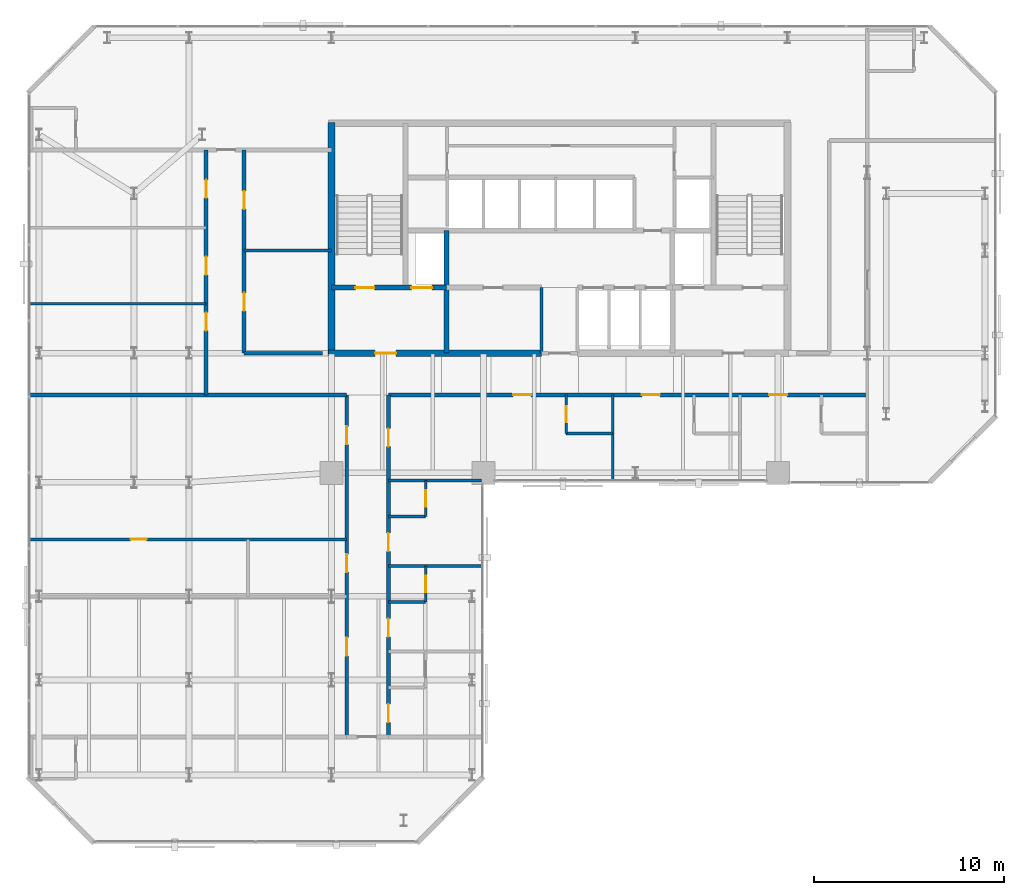
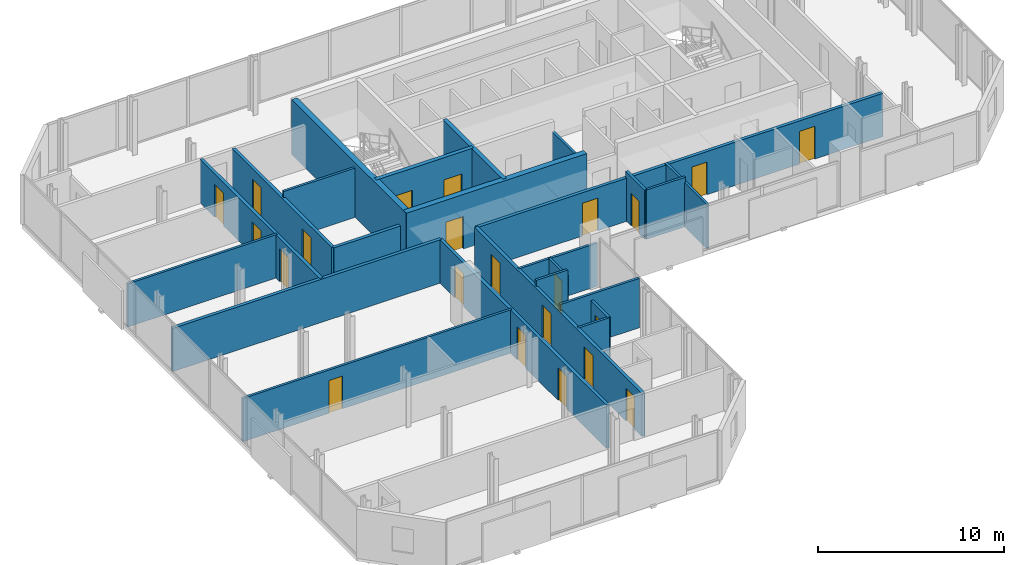
# One storey, part 28 of 32: 24 walls, 22 doors, 22 openings.
"""IFC4 building model written with IfcOpenShell, lengths in metres."""

from ifc_helpers import new_model, si_unit, direction, frame, frame_2d, origin, place, context, subcontext, project, spatial, rectangle, extrude, material, layer, layer_set, type_object, element, fill, save


model = new_model("IFC4")

# Units and contexts
model_context = context("Model", 3, precision=1e-05, world=origin(), true_north=direction((0.0, 1.0)))
body_context = subcontext(model_context, "Body", "Model", "MODEL_VIEW")
ifc_project = project(units=[si_unit("LENGTHUNIT", "METRE"), si_unit("AREAUNIT", "SQUARE_METRE"), si_unit("VOLUMEUNIT", "CUBIC_METRE"), si_unit("PLANEANGLEUNIT", "RADIAN"), si_unit("MASSUNIT", "GRAM", prefix="KILO")], contexts=[model_context])

# Site, building, storey
site_placement = place(None, origin())
site = spatial("IfcSite", under=ifc_project, at=site_placement, CompositionType="ELEMENT")
building_placement = place(site_placement, origin())
building = spatial("IfcBuilding", under=site, at=building_placement, Name="Catumbela Crestline Tower", CompositionType="ELEMENT")
storey_placement = place(building_placement, frame((0.0, 0.0, 140.4)))
storey = spatial("IfcBuildingStorey", under=building, at=storey_placement, Name="L36", CompositionType="ELEMENT", Elevation=140.4)

# Wall
ifc_material_1 = material(Name="Concrete C50/60", Category="concrete")
ifc_layer_1 = layer(ifc_material_1, 0.25, Name="Concrete C50/60")
ifc_layer_set_1 = layer_set([ifc_layer_1], Name="Concrete C50/60")
wall_type_1 = type_object("IfcWallType", Name="CW-250D", PredefinedType="SHEAR", material=ifc_layer_set_1)
wall_1_placement = place(storey_placement, frame((22.05, 30.8, 0.0), z_axis=(0.0, 0.0, 1.0), x_axis=(0.0, 1.0, 0.0)))
element("IfcWall", 1, at=wall_1_placement, inside=storey, type_object=wall_type_1, Name="L36 Structural Core Shear Wall FFW", PredefinedType="SHEAR", context=body_context, shape_type="SweptSolid", body=[
    extrude(rectangle(XDim=6.45, YDim=0.25, at=frame_2d((3.225, 0.0))), origin(), (0.0, 0.0, 1.0), 3.6),
])

# Wall, openings, doors
wall_2_placement = place(storey_placement, frame((16.0, 34.25, 0.0), z_axis=(0.0, 0.0, 1.0), x_axis=(1.0, 0.0, 0.0)))
wall_2 = element("IfcWall", 2, at=wall_2_placement, inside=storey, type_object=wall_type_1, Name="L36 Structural Core Shear Wall ST1S", PredefinedType="SHEAR", context=body_context, shape_type="SweptSolid", body=[
    extrude(rectangle(XDim=6.05, YDim=0.25, at=frame_2d((3.025, 0.0))), origin(), (0.0, 0.0, 1.0), 3.6),
])
opening_1_placement = place(wall_2_placement, frame((1.25, 0.0, 0.0)))
opening_1 = element("IfcOpeningElement", 3, at=opening_1_placement, cuts=wall_2, Name="Opening DF9-100", PredefinedType="OPENING", context=body_context, shape_type="SweptSolid", body=[
    extrude(rectangle(XDim=1.0, YDim=2.15, at=frame_2d((0.5, 1.075))), frame((0.0, 0.135, 0.0), z_axis=(0.0, -1.0, 0.0), x_axis=(1.0, 0.0, 0.0)), (0.0, 0.0, 1.0), 0.27),
])
opening_2_placement = place(wall_2_placement, frame((4.2, 0.0, 0.0)))
opening_2 = element("IfcOpeningElement", 4, at=opening_2_placement, cuts=wall_2, Name="Opening LD-110", PredefinedType="OPENING", context=body_context, shape_type="SweptSolid", body=[
    extrude(rectangle(XDim=1.1, YDim=2.15, at=frame_2d((0.55, 1.075))), frame((0.0, 0.135, 0.0), z_axis=(0.0, -1.0, 0.0), x_axis=(1.0, 0.0, 0.0)), (0.0, 0.0, 1.0), 0.27),
])
ifc_material_2 = material(Name="Stainless steel EN 1.4401", Category="steel")
door_type_1 = type_object("IfcDoorType", Name="DF9-100", OperationType="NOTDEFINED", PredefinedType="DOOR", material=ifc_material_2)
door_1_placement = place(opening_1_placement, origin())
door_1 = element("IfcDoor", 5, at=door_1_placement, inside=storey, type_object=door_type_1, Name="L36 Interior Door DR-L36-ST01", OperationType="SINGLE_SWING_LEFT", OverallHeight=2.15, OverallWidth=1.0, PredefinedType="DOOR", context=body_context, shape_type="SweptSolid", body=[
    extrude(rectangle(XDim=1.0, YDim=2.15, at=frame_2d((0.5, 1.075))), frame((0.0, 0.025, 0.0), z_axis=(0.0, -1.0, 0.0), x_axis=(1.0, 0.0, 0.0)), (0.0, 0.0, 1.0), 0.05),
])
fill(opening_1, door_1)
door_type_2 = type_object("IfcDoorType", Name="LD-110", OperationType="NOTDEFINED", PredefinedType="DOOR", material=ifc_material_2)
door_2_placement = place(opening_2_placement, origin())
door_2 = element("IfcDoor", 6, at=door_2_placement, inside=storey, type_object=door_type_2, Name="L36 Lift Landing Sliding Door FL-01", OperationType="DOUBLE_DOOR_SLIDING", OverallHeight=2.15, OverallWidth=1.1, PredefinedType="DOOR", context=body_context, shape_type="SweptSolid", body=[
    extrude(rectangle(XDim=1.1, YDim=2.15, at=frame_2d((0.55, 1.075))), frame((0.0, 0.025, 0.0), z_axis=(0.0, -1.0, 0.0), x_axis=(1.0, 0.0, 0.0)), (0.0, 0.0, 1.0), 0.05),
])
fill(opening_2, door_2)

# Wall
ifc_layer_2 = layer(ifc_material_1, 0.35, Name="Concrete C50/60")
ifc_layer_set_2 = layer_set([ifc_layer_2], Name="Concrete C50/60")
wall_type_2 = type_object("IfcWallType", Name="CW-350B", PredefinedType="SHEAR", material=ifc_layer_set_2)
wall_3_placement = place(storey_placement, frame((16.0, 30.65, 0.0), z_axis=(0.0, 0.0, 1.0), x_axis=(0.0, 1.0, 0.0)))
element("IfcWall", 7, at=wall_3_placement, inside=storey, type_object=wall_type_2, Name="L36 Structural Core Shear Wall W", PredefinedType="SHEAR", context=body_context, shape_type="SweptSolid", body=[
    extrude(rectangle(XDim=12.3, YDim=0.35, at=frame_2d((6.15, 0.0))), origin(), (0.0, 0.0, 1.0), 3.6),
])

# Wall, opening, door
wall_4_placement = place(storey_placement, frame((15.85, 30.8, 0.0), z_axis=(0.0, 0.0, 1.0), x_axis=(1.0, 0.0, 0.0)))
wall_4 = element("IfcWall", 8, at=wall_4_placement, inside=storey, type_object=wall_type_2, Name="L36 Structural Core Shear Wall SW", PredefinedType="SHEAR", context=body_context, shape_type="SweptSolid", body=[
    extrude(rectangle(XDim=11.2, YDim=0.35, at=frame_2d((5.6, 0.0))), origin(), (0.0, 0.0, 1.0), 3.6),
])
opening_3_placement = place(wall_4_placement, frame((2.45, 0.0, 0.0)))
opening_3 = element("IfcOpeningElement", 9, at=opening_3_placement, cuts=wall_4, Name="Opening DF9-110", PredefinedType="OPENING", context=body_context, shape_type="SweptSolid", body=[
    extrude(rectangle(XDim=1.1, YDim=2.15, at=frame_2d((0.55, 1.075))), frame((0.0, 0.185, 0.0), z_axis=(0.0, -1.0, 0.0), x_axis=(1.0, 0.0, 0.0)), (0.0, 0.0, 1.0), 0.37),
])
door_type_3 = type_object("IfcDoorType", Name="DF9-110", OperationType="NOTDEFINED", PredefinedType="DOOR", material=ifc_material_2)
door_3_placement = place(opening_3_placement, origin())
door_3 = element("IfcDoor", 10, at=door_3_placement, inside=storey, type_object=door_type_3, Name="L36 Interior Door DR-L36-FFW-S", OperationType="SINGLE_SWING_LEFT", OverallHeight=2.15, OverallWidth=1.1, PredefinedType="DOOR", context=body_context, shape_type="SweptSolid", body=[
    extrude(rectangle(XDim=1.1, YDim=2.15, at=frame_2d((0.55, 1.075))), frame((0.0, 0.025, 0.0), z_axis=(0.0, -1.0, 0.0), x_axis=(1.0, 0.0, 0.0)), (0.0, 0.0, 1.0), 0.05),
])
fill(opening_3, door_3)

# Wall
ifc_material_3 = material(Name="Acoustic gypsum and mineral-wool partition")
ifc_layer_3 = layer(ifc_material_3, 0.2, Name="Acoustic gypsum and mineral-wool partition")
ifc_layer_set_3 = layer_set([ifc_layer_3], Name="Acoustic gypsum and mineral-wool partition")
wall_type_3 = type_object("IfcWallType", Name="WC-200", PredefinedType="PARTITIONING", material=ifc_layer_set_3)
wall_5_placement = place(storey_placement, frame((0.1, 28.6, 0.0), z_axis=(0.0, 0.0, 1.0), x_axis=(1.0, 0.0, 0.0)))
element("IfcWall", 11, at=wall_5_placement, inside=storey, type_object=wall_type_3, Name="L36 Interior Partition PW-L36-Z2CW-N1", PredefinedType="PARTITIONING", context=body_context, shape_type="SweptSolid", body=[
    extrude(rectangle(XDim=16.7, YDim=0.2, at=frame_2d((8.35, 0.0))), origin(), (0.0, 0.0, 1.0), 2.84),
])

# Wall, openings, doors
wall_6_placement = place(storey_placement, frame((19.0, 28.6, 0.0), z_axis=(0.0, 0.0, 1.0), x_axis=(1.0, 0.0, 0.0)))
wall_6 = element("IfcWall", 12, at=wall_6_placement, inside=storey, type_object=wall_type_3, Name="L36 Interior Partition PW-L36-Z2CW-N2", PredefinedType="PARTITIONING", context=body_context, shape_type="SweptSolid", body=[
    extrude(rectangle(XDim=25.2, YDim=0.2, at=frame_2d((12.6, 0.0))), origin(), (0.0, 0.0, 1.0), 2.84),
])
opening_4_placement = place(wall_6_placement, frame((6.5609, 0.0, 0.0)))
opening_4 = element("IfcOpeningElement", 13, at=opening_4_placement, cuts=wall_6, Name="Opening DF6-095", PredefinedType="OPENING", context=body_context, shape_type="SweptSolid", body=[
    extrude(rectangle(XDim=0.95, YDim=2.15, at=frame_2d((0.475, 1.075))), frame((0.0, 0.11, 0.0), z_axis=(0.0, -1.0, 0.0), x_axis=(1.0, 0.0, 0.0)), (0.0, 0.0, 1.0), 0.22),
])
opening_5_placement = place(wall_6_placement, frame((13.3321, 0.0, 0.0)))
opening_5 = element("IfcOpeningElement", 14, at=opening_5_placement, cuts=wall_6, Name="Opening DF6-095", PredefinedType="OPENING", context=body_context, shape_type="SweptSolid", body=[
    extrude(rectangle(XDim=0.95, YDim=2.15, at=frame_2d((0.475, 1.075))), frame((0.0, 0.11, 0.0), z_axis=(0.0, -1.0, 0.0), x_axis=(1.0, 0.0, 0.0)), (0.0, 0.0, 1.0), 0.22),
])
opening_6_placement = place(wall_6_placement, frame((20.0321, 0.0, 0.0)))
opening_6 = element("IfcOpeningElement", 15, at=opening_6_placement, cuts=wall_6, Name="Opening DF6-095", PredefinedType="OPENING", context=body_context, shape_type="SweptSolid", body=[
    extrude(rectangle(XDim=0.95, YDim=2.15, at=frame_2d((0.475, 1.075))), frame((0.0, 0.11, 0.0), z_axis=(0.0, -1.0, 0.0), x_axis=(1.0, 0.0, 0.0)), (0.0, 0.0, 1.0), 0.22),
])
ifc_material_4 = material(Name="Aluminium alloy AW-6060-T66", Category="aluminium")
door_type_4 = type_object("IfcDoorType", Name="DF6-095", OperationType="NOTDEFINED", PredefinedType="DOOR", material=ifc_material_4)
door_4_placement = place(opening_4_placement, origin())
door_4 = element("IfcDoor", 16, at=door_4_placement, inside=storey, type_object=door_type_4, Name="L36 Interior Door DR-L36-SS1-ENT", OperationType="SINGLE_SWING_RIGHT", OverallHeight=2.15, OverallWidth=0.95, PredefinedType="DOOR", context=body_context, shape_type="SweptSolid", body=[
    extrude(rectangle(XDim=0.95, YDim=2.15, at=frame_2d((0.475, 1.075))), frame((0.0, 0.025, 0.0), z_axis=(0.0, -1.0, 0.0), x_axis=(1.0, 0.0, 0.0)), (0.0, 0.0, 1.0), 0.05),
])
fill(opening_4, door_4)
door_5_placement = place(opening_5_placement, origin())
door_5 = element("IfcDoor", 17, at=door_5_placement, inside=storey, type_object=door_type_4, Name="L36 Interior Door DR-L36-SS2-ENT", OperationType="SINGLE_SWING_LEFT", OverallHeight=2.15, OverallWidth=0.95, PredefinedType="DOOR", context=body_context, shape_type="SweptSolid", body=[
    extrude(rectangle(XDim=0.95, YDim=2.15, at=frame_2d((0.475, 1.075))), frame((0.0, 0.025, 0.0), z_axis=(0.0, -1.0, 0.0), x_axis=(1.0, 0.0, 0.0)), (0.0, 0.0, 1.0), 0.05),
])
fill(opening_5, door_5)
door_6_placement = place(opening_6_placement, origin())
door_6 = element("IfcDoor", 18, at=door_6_placement, inside=storey, type_object=door_type_4, Name="L36 Interior Door DR-L36-SS3-ENT", OperationType="SINGLE_SWING_RIGHT", OverallHeight=2.15, OverallWidth=0.95, PredefinedType="DOOR", context=body_context, shape_type="SweptSolid", body=[
    extrude(rectangle(XDim=0.95, YDim=2.15, at=frame_2d((0.475, 1.075))), frame((0.0, 0.025, 0.0), z_axis=(0.0, -1.0, 0.0), x_axis=(1.0, 0.0, 0.0)), (0.0, 0.0, 1.0), 0.05),
])
fill(opening_6, door_6)

# Wall
wall_7_placement = place(storey_placement, frame((11.4, 30.8, 0.0), z_axis=(0.0, 0.0, 1.0), x_axis=(1.0, 0.0, 0.0)))
element("IfcWall", 19, at=wall_7_placement, inside=storey, type_object=wall_type_3, Name="L36 Interior Partition PW-L36-Z2CW-N3", PredefinedType="PARTITIONING", context=body_context, shape_type="SweptSolid", body=[
    extrude(rectangle(XDim=4.13, YDim=0.2, at=frame_2d((2.065, 0.0))), origin(), (0.0, 0.0, 1.0), 2.84),
])

# Wall, openings, doors
wall_8_placement = place(storey_placement, frame((16.8, 10.6, 0.0), z_axis=(0.0, 0.0, 1.0), x_axis=(0.0, 1.0, 0.0)))
wall_8 = element("IfcWall", 20, at=wall_8_placement, inside=storey, type_object=wall_type_3, Name="L36 Interior Partition PW-L36-STWC-ENT", PredefinedType="PARTITIONING", context=body_context, shape_type="SweptSolid", body=[
    extrude(rectangle(XDim=18.0, YDim=0.2, at=frame_2d((9.0, 0.0))), origin(), (0.0, 0.0, 1.0), 2.84),
])
opening_7_placement = place(wall_8_placement, frame((8.6794, 0.0, 0.0)))
opening_7 = element("IfcOpeningElement", 21, at=opening_7_placement, cuts=wall_8, Name="Opening DF6-095", PredefinedType="OPENING", context=body_context, shape_type="SweptSolid", body=[
    extrude(rectangle(XDim=0.95, YDim=2.15, at=frame_2d((0.475, 1.075))), frame((0.0, 0.11, 0.0), z_axis=(0.0, -1.0, 0.0), x_axis=(1.0, 0.0, 0.0)), (0.0, 0.0, 1.0), 0.22),
])
opening_8_placement = place(wall_8_placement, frame((15.3987, 0.0, 0.0)))
opening_8 = element("IfcOpeningElement", 22, at=opening_8_placement, cuts=wall_8, Name="Opening DF6-095", PredefinedType="OPENING", context=body_context, shape_type="SweptSolid", body=[
    extrude(rectangle(XDim=0.95, YDim=2.15, at=frame_2d((0.475, 1.075))), frame((0.0, 0.11, 0.0), z_axis=(0.0, -1.0, 0.0), x_axis=(1.0, 0.0, 0.0)), (0.0, 0.0, 1.0), 0.22),
])
opening_9_placement = place(wall_8_placement, frame((4.2733, 0.0, 0.0)))
opening_9 = element("IfcOpeningElement", 23, at=opening_9_placement, cuts=wall_8, Name="Opening DF6-095", PredefinedType="OPENING", context=body_context, shape_type="SweptSolid", body=[
    extrude(rectangle(XDim=0.95, YDim=2.15, at=frame_2d((0.475, 1.075))), frame((0.0, 0.11, 0.0), z_axis=(0.0, -1.0, 0.0), x_axis=(1.0, 0.0, 0.0)), (0.0, 0.0, 1.0), 0.22),
])
door_7_placement = place(opening_7_placement, origin())
door_7 = element("IfcDoor", 24, at=door_7_placement, inside=storey, type_object=door_type_4, Name="L36 Interior Door DR-L36-STWC-ENT", OperationType="SINGLE_SWING_RIGHT", OverallHeight=2.15, OverallWidth=0.95, PredefinedType="DOOR", context=body_context, shape_type="SweptSolid", body=[
    extrude(rectangle(XDim=0.95, YDim=2.15, at=frame_2d((0.475, 1.075))), frame((0.0, 0.025, 0.0), z_axis=(0.0, -1.0, 0.0), x_axis=(1.0, 0.0, 0.0)), (0.0, 0.0, 1.0), 0.05),
])
fill(opening_7, door_7)
door_8_placement = place(opening_8_placement, origin())
door_8 = element("IfcDoor", 25, at=door_8_placement, inside=storey, type_object=door_type_4, Name="L36 Interior Door DR-L36-HKP-ENT", OperationType="SINGLE_SWING_RIGHT", OverallHeight=2.15, OverallWidth=0.95, PredefinedType="DOOR", context=body_context, shape_type="SweptSolid", body=[
    extrude(rectangle(XDim=0.95, YDim=2.15, at=frame_2d((0.475, 1.075))), frame((0.0, 0.025, 0.0), z_axis=(0.0, -1.0, 0.0), x_axis=(1.0, 0.0, 0.0)), (0.0, 0.0, 1.0), 0.05),
])
fill(opening_8, door_8)
door_9_placement = place(opening_9_placement, origin())
door_9 = element("IfcDoor", 26, at=door_9_placement, inside=storey, type_object=door_type_4, Name="L36 Interior Door DR-L36-WEXT-ENT", OperationType="SINGLE_SWING_RIGHT", OverallHeight=2.15, OverallWidth=0.95, PredefinedType="DOOR", context=body_context, shape_type="SweptSolid", body=[
    extrude(rectangle(XDim=0.95, YDim=2.15, at=frame_2d((0.475, 1.075))), frame((0.0, 0.025, 0.0), z_axis=(0.0, -1.0, 0.0), x_axis=(1.0, 0.0, 0.0)), (0.0, 0.0, 1.0), 0.05),
])
fill(opening_9, door_9)

wall_9_placement = place(storey_placement, frame((9.4, 28.6, 0.0), z_axis=(0.0, 0.0, 1.0), x_axis=(0.0, 1.0, 0.0)))
wall_9 = element("IfcWall", 27, at=wall_9_placement, inside=storey, type_object=wall_type_3, Name="L36 Interior Partition PW-L36-Z2DN1-ENT", PredefinedType="PARTITIONING", context=body_context, shape_type="SweptSolid", body=[
    extrude(rectangle(XDim=12.9, YDim=0.2, at=frame_2d((6.45, 0.0))), origin(), (0.0, 0.0, 1.0), 2.84),
])
opening_10_placement = place(wall_9_placement, frame((3.3831, 0.0, 0.0)))
opening_10 = element("IfcOpeningElement", 28, at=opening_10_placement, cuts=wall_9, Name="Opening DF6-095", PredefinedType="OPENING", context=body_context, shape_type="SweptSolid", body=[
    extrude(rectangle(XDim=0.95, YDim=2.15, at=frame_2d((0.475, 1.075))), frame((0.0, 0.11, 0.0), z_axis=(0.0, -1.0, 0.0), x_axis=(1.0, 0.0, 0.0)), (0.0, 0.0, 1.0), 0.22),
])
opening_11_placement = place(wall_9_placement, frame((6.325, 0.0, 0.0)))
opening_11 = element("IfcOpeningElement", 29, at=opening_11_placement, cuts=wall_9, Name="Opening DF6-095", PredefinedType="OPENING", context=body_context, shape_type="SweptSolid", body=[
    extrude(rectangle(XDim=0.95, YDim=2.15, at=frame_2d((0.475, 1.075))), frame((0.0, 0.11, 0.0), z_axis=(0.0, -1.0, 0.0), x_axis=(1.0, 0.0, 0.0)), (0.0, 0.0, 1.0), 0.22),
])
opening_12_placement = place(wall_9_placement, frame((10.375, 0.0, 0.0)))
opening_12 = element("IfcOpeningElement", 30, at=opening_12_placement, cuts=wall_9, Name="Opening DF6-095", PredefinedType="OPENING", context=body_context, shape_type="SweptSolid", body=[
    extrude(rectangle(XDim=0.95, YDim=2.15, at=frame_2d((0.475, 1.075))), frame((0.0, 0.11, 0.0), z_axis=(0.0, -1.0, 0.0), x_axis=(1.0, 0.0, 0.0)), (0.0, 0.0, 1.0), 0.22),
])
door_10_placement = place(opening_10_placement, origin())
door_10 = element("IfcDoor", 31, at=door_10_placement, inside=storey, type_object=door_type_4, Name="L36 Interior Door DR-L36-Z2DN1-ENT", OperationType="SINGLE_SWING_RIGHT", OverallHeight=2.15, OverallWidth=0.95, PredefinedType="DOOR", context=body_context, shape_type="SweptSolid", body=[
    extrude(rectangle(XDim=0.95, YDim=2.15, at=frame_2d((0.475, 1.075))), frame((0.0, 0.025, 0.0), z_axis=(0.0, -1.0, 0.0), x_axis=(1.0, 0.0, 0.0)), (0.0, 0.0, 1.0), 0.05),
])
fill(opening_10, door_10)
door_11_placement = place(opening_11_placement, origin())
door_11 = element("IfcDoor", 32, at=door_11_placement, inside=storey, type_object=door_type_4, Name="L36 Interior Door DR-L36-Z2ST1-ENT", OperationType="SINGLE_SWING_LEFT", OverallHeight=2.15, OverallWidth=0.95, PredefinedType="DOOR", context=body_context, shape_type="SweptSolid", body=[
    extrude(rectangle(XDim=0.95, YDim=2.15, at=frame_2d((0.475, 1.075))), frame((0.0, 0.025, 0.0), z_axis=(0.0, -1.0, 0.0), x_axis=(1.0, 0.0, 0.0)), (0.0, 0.0, 1.0), 0.05),
])
fill(opening_11, door_11)
door_12_placement = place(opening_12_placement, origin())
door_12 = element("IfcDoor", 33, at=door_12_placement, inside=storey, type_object=door_type_4, Name="L36 Interior Door DR-L36-Z2ST2-ENT", OperationType="SINGLE_SWING_RIGHT", OverallHeight=2.15, OverallWidth=0.95, PredefinedType="DOOR", context=body_context, shape_type="SweptSolid", body=[
    extrude(rectangle(XDim=0.95, YDim=2.15, at=frame_2d((0.475, 1.075))), frame((0.0, 0.025, 0.0), z_axis=(0.0, -1.0, 0.0), x_axis=(1.0, 0.0, 0.0)), (0.0, 0.0, 1.0), 0.05),
])
fill(opening_12, door_12)

wall_10_placement = place(storey_placement, frame((11.4, 30.8, 0.0), z_axis=(0.0, 0.0, 1.0), x_axis=(0.0, 1.0, 0.0)))
wall_10 = element("IfcWall", 34, at=wall_10_placement, inside=storey, type_object=wall_type_3, Name="L36 Interior Partition PW-L36-Z2RC1-ENT", PredefinedType="PARTITIONING", context=body_context, shape_type="SweptSolid", body=[
    extrude(rectangle(XDim=10.7, YDim=0.2, at=frame_2d((5.35, 0.0))), origin(), (0.0, 0.0, 1.0), 2.84),
])
opening_13_placement = place(wall_10_placement, frame((2.225, 0.0, 0.0)))
opening_13 = element("IfcOpeningElement", 35, at=opening_13_placement, cuts=wall_10, Name="Opening DF6-095", PredefinedType="OPENING", context=body_context, shape_type="SweptSolid", body=[
    extrude(rectangle(XDim=0.95, YDim=2.15, at=frame_2d((0.475, 1.075))), frame((0.0, 0.11, 0.0), z_axis=(0.0, -1.0, 0.0), x_axis=(1.0, 0.0, 0.0)), (0.0, 0.0, 1.0), 0.22),
])
opening_14_placement = place(wall_10_placement, frame((7.575, 0.0, 0.0)))
opening_14 = element("IfcOpeningElement", 36, at=opening_14_placement, cuts=wall_10, Name="Opening DF6-095", PredefinedType="OPENING", context=body_context, shape_type="SweptSolid", body=[
    extrude(rectangle(XDim=0.95, YDim=2.15, at=frame_2d((0.475, 1.075))), frame((0.0, 0.11, 0.0), z_axis=(0.0, -1.0, 0.0), x_axis=(1.0, 0.0, 0.0)), (0.0, 0.0, 1.0), 0.22),
])
door_13_placement = place(opening_13_placement, origin())
door_13 = element("IfcDoor", 37, at=door_13_placement, inside=storey, type_object=door_type_4, Name="L36 Interior Door DR-L36-Z2RC1-ENT", OperationType="SINGLE_SWING_LEFT", OverallHeight=2.15, OverallWidth=0.95, PredefinedType="DOOR", context=body_context, shape_type="SweptSolid", body=[
    extrude(rectangle(XDim=0.95, YDim=2.15, at=frame_2d((0.475, 1.075))), frame((0.0, 0.025, 0.0), z_axis=(0.0, -1.0, 0.0), x_axis=(1.0, 0.0, 0.0)), (0.0, 0.0, 1.0), 0.05),
])
fill(opening_13, door_13)
door_14_placement = place(opening_14_placement, origin())
door_14 = element("IfcDoor", 38, at=door_14_placement, inside=storey, type_object=door_type_4, Name="L36 Interior Door DR-L36-Z2KT1-ENT", OperationType="SINGLE_SWING_LEFT", OverallHeight=2.15, OverallWidth=0.95, PredefinedType="DOOR", context=body_context, shape_type="SweptSolid", body=[
    extrude(rectangle(XDim=0.95, YDim=2.15, at=frame_2d((0.475, 1.075))), frame((0.0, 0.025, 0.0), z_axis=(0.0, -1.0, 0.0), x_axis=(1.0, 0.0, 0.0)), (0.0, 0.0, 1.0), 0.05),
])
fill(opening_14, door_14)

wall_11_placement = place(storey_placement, frame((19.0, 10.6, 0.0), z_axis=(0.0, 0.0, 1.0), x_axis=(0.0, 1.0, 0.0)))
wall_11 = element("IfcWall", 39, at=wall_11_placement, inside=storey, type_object=wall_type_3, Name="L36 Interior Partition PW-L36-SW1-ENT", PredefinedType="PARTITIONING", context=body_context, shape_type="SweptSolid", body=[
    extrude(rectangle(XDim=18.0, YDim=0.2, at=frame_2d((9.0, 0.0))), origin(), (0.0, 0.0, 1.0), 2.84),
])
opening_15_placement = place(wall_11_placement, frame((0.7725, 0.0, 0.0)))
opening_15 = element("IfcOpeningElement", 40, at=opening_15_placement, cuts=wall_11, Name="Opening DF6-095", PredefinedType="OPENING", context=body_context, shape_type="SweptSolid", body=[
    extrude(rectangle(XDim=0.95, YDim=2.15, at=frame_2d((0.475, 1.075))), frame((0.0, 0.11, 0.0), z_axis=(0.0, -1.0, 0.0), x_axis=(1.0, 0.0, 0.0)), (0.0, 0.0, 1.0), 0.22),
])
opening_16_placement = place(wall_11_placement, frame((5.2725, 0.0, 0.0)))
opening_16 = element("IfcOpeningElement", 41, at=opening_16_placement, cuts=wall_11, Name="Opening DF6-095", PredefinedType="OPENING", context=body_context, shape_type="SweptSolid", body=[
    extrude(rectangle(XDim=0.95, YDim=2.15, at=frame_2d((0.475, 1.075))), frame((0.0, 0.11, 0.0), z_axis=(0.0, -1.0, 0.0), x_axis=(1.0, 0.0, 0.0)), (0.0, 0.0, 1.0), 0.22),
])
opening_17_placement = place(wall_11_placement, frame((9.7725, 0.0, 0.0)))
opening_17 = element("IfcOpeningElement", 42, at=opening_17_placement, cuts=wall_11, Name="Opening DF6-095", PredefinedType="OPENING", context=body_context, shape_type="SweptSolid", body=[
    extrude(rectangle(XDim=0.95, YDim=2.15, at=frame_2d((0.475, 1.075))), frame((0.0, 0.11, 0.0), z_axis=(0.0, -1.0, 0.0), x_axis=(1.0, 0.0, 0.0)), (0.0, 0.0, 1.0), 0.22),
])
opening_18_placement = place(wall_11_placement, frame((15.275, 0.0, 0.0)))
opening_18 = element("IfcOpeningElement", 43, at=opening_18_placement, cuts=wall_11, Name="Opening DF6-095", PredefinedType="OPENING", context=body_context, shape_type="SweptSolid", body=[
    extrude(rectangle(XDim=0.95, YDim=2.15, at=frame_2d((0.475, 1.075))), frame((0.0, 0.11, 0.0), z_axis=(0.0, -1.0, 0.0), x_axis=(1.0, 0.0, 0.0)), (0.0, 0.0, 1.0), 0.22),
])
door_15_placement = place(opening_15_placement, origin())
door_15 = element("IfcDoor", 44, at=door_15_placement, inside=storey, type_object=door_type_4, Name="L36 Interior Door DR-L36-SW1-ENT", OperationType="SINGLE_SWING_RIGHT", OverallHeight=2.15, OverallWidth=0.95, PredefinedType="DOOR", context=body_context, shape_type="SweptSolid", body=[
    extrude(rectangle(XDim=0.95, YDim=2.15, at=frame_2d((0.475, 1.075))), frame((0.0, 0.025, 0.0), z_axis=(0.0, -1.0, 0.0), x_axis=(1.0, 0.0, 0.0)), (0.0, 0.0, 1.0), 0.05),
])
fill(opening_15, door_15)
door_16_placement = place(opening_16_placement, origin())
door_16 = element("IfcDoor", 45, at=door_16_placement, inside=storey, type_object=door_type_4, Name="L36 Interior Door DR-L36-SW2-ENT", OperationType="SINGLE_SWING_LEFT", OverallHeight=2.15, OverallWidth=0.95, PredefinedType="DOOR", context=body_context, shape_type="SweptSolid", body=[
    extrude(rectangle(XDim=0.95, YDim=2.15, at=frame_2d((0.475, 1.075))), frame((0.0, 0.025, 0.0), z_axis=(0.0, -1.0, 0.0), x_axis=(1.0, 0.0, 0.0)), (0.0, 0.0, 1.0), 0.05),
])
fill(opening_16, door_16)
door_17_placement = place(opening_17_placement, origin())
door_17 = element("IfcDoor", 46, at=door_17_placement, inside=storey, type_object=door_type_4, Name="L36 Interior Door DR-L36-SW3-ENT", OperationType="SINGLE_SWING_RIGHT", OverallHeight=2.15, OverallWidth=0.95, PredefinedType="DOOR", context=body_context, shape_type="SweptSolid", body=[
    extrude(rectangle(XDim=0.95, YDim=2.15, at=frame_2d((0.475, 1.075))), frame((0.0, 0.025, 0.0), z_axis=(0.0, -1.0, 0.0), x_axis=(1.0, 0.0, 0.0)), (0.0, 0.0, 1.0), 0.05),
])
fill(opening_17, door_17)
door_18_placement = place(opening_18_placement, origin())
door_18 = element("IfcDoor", 47, at=door_18_placement, inside=storey, type_object=door_type_4, Name="L36 Interior Door DR-L36-SW4-ENT", OperationType="SINGLE_SWING_LEFT", OverallHeight=2.15, OverallWidth=0.95, PredefinedType="DOOR", context=body_context, shape_type="SweptSolid", body=[
    extrude(rectangle(XDim=0.95, YDim=2.15, at=frame_2d((0.475, 1.075))), frame((0.0, 0.025, 0.0), z_axis=(0.0, -1.0, 0.0), x_axis=(1.0, 0.0, 0.0)), (0.0, 0.0, 1.0), 0.05),
])
fill(opening_18, door_18)

# Wall, opening, door
ifc_layer_4 = layer(ifc_material_3, 0.15, Name="Acoustic gypsum and mineral-wool partition")
ifc_layer_set_4 = layer_set([ifc_layer_4], Name="Acoustic gypsum and mineral-wool partition")
wall_type_4 = type_object("IfcWallType", Name="WP-150", PredefinedType="PARTITIONING", material=ifc_layer_set_4)
wall_12_placement = place(storey_placement, frame((0.1, 21.0, 0.0), z_axis=(0.0, 0.0, 1.0), x_axis=(1.0, 0.0, 0.0)))
wall_12 = element("IfcWall", 48, at=wall_12_placement, inside=storey, type_object=wall_type_4, Name="L36 Interior Partition PW-L36-Z2W-2", PredefinedType="PARTITIONING", context=body_context, shape_type="SweptSolid", body=[
    extrude(rectangle(XDim=16.7, YDim=0.15, at=frame_2d((8.35, 0.0))), origin(), (0.0, 0.0, 1.0), 2.84),
])
opening_19_placement = place(wall_12_placement, frame((5.325, 0.0, 0.0)))
opening_19 = element("IfcOpeningElement", 49, at=opening_19_placement, cuts=wall_12, Name="Opening DI-085", PredefinedType="OPENING", context=body_context, shape_type="SweptSolid", body=[
    extrude(rectangle(XDim=0.85, YDim=2.15, at=frame_2d((0.425, 1.075))), frame((0.0, 0.085, 0.0), z_axis=(0.0, -1.0, 0.0), x_axis=(1.0, 0.0, 0.0)), (0.0, 0.0, 1.0), 0.17),
])
door_type_5 = type_object("IfcDoorType", Name="DI-085", OperationType="NOTDEFINED", PredefinedType="DOOR", material=ifc_material_4)
door_19_placement = place(opening_19_placement, origin())
door_19 = element("IfcDoor", 50, at=door_19_placement, inside=storey, type_object=door_type_5, Name="L36 Interior Door DR-L36-STSTO", OperationType="SINGLE_SWING_LEFT", OverallHeight=2.15, OverallWidth=0.85, PredefinedType="DOOR", context=body_context, shape_type="SweptSolid", body=[
    extrude(rectangle(XDim=0.85, YDim=2.15, at=frame_2d((0.425, 1.075))), frame((0.0, 0.025, 0.0), z_axis=(0.0, -1.0, 0.0), x_axis=(1.0, 0.0, 0.0)), (0.0, 0.0, 1.0), 0.05),
])
fill(opening_19, door_19)

# Walls
wall_13_placement = place(storey_placement, frame((0.1, 33.4, 0.0), z_axis=(0.0, 0.0, 1.0), x_axis=(1.0, 0.0, 0.0)))
element("IfcWall", 51, at=wall_13_placement, inside=storey, type_object=wall_type_4, Name="L36 Interior Partition PW-L36-Z2G4-1", PredefinedType="PARTITIONING", context=body_context, shape_type="SweptSolid", body=[
    extrude(rectangle(XDim=9.3, YDim=0.15, at=frame_2d((4.65, 0.0))), origin(), (0.0, 0.0, 1.0), 2.84),
])
wall_14_placement = place(storey_placement, frame((11.4, 36.2, 0.0), z_axis=(0.0, 0.0, 1.0), x_axis=(1.0, 0.0, 0.0)))
element("IfcWall", 52, at=wall_14_placement, inside=storey, type_object=wall_type_4, Name="L36 Interior Partition PW-L36-Z2G4-3", PredefinedType="PARTITIONING", context=body_context, shape_type="SweptSolid", body=[
    extrude(rectangle(XDim=4.6, YDim=0.15, at=frame_2d((2.3, 0.0))), origin(), (0.0, 0.0, 1.0), 3.24),
])
wall_15_placement = place(storey_placement, frame((19.0, 17.7, 0.0), z_axis=(0.0, 0.0, 1.0), x_axis=(1.0, 0.0, 0.0)))
element("IfcWall", 53, at=wall_15_placement, inside=storey, type_object=wall_type_4, Name="L36 Interior Partition PW-L36-SW2-BSW", PredefinedType="PARTITIONING", context=body_context, shape_type="SweptSolid", body=[
    extrude(rectangle(XDim=1.96, YDim=0.15, at=frame_2d((0.98, 0.0))), origin(), (0.0, 0.0, 1.0), 2.84),
])

# Wall, opening, door
wall_16_placement = place(storey_placement, frame((20.96, 17.7, 0.0), z_axis=(0.0, 0.0, 1.0), x_axis=(0.0, 1.0, 0.0)))
wall_16 = element("IfcWall", 54, at=wall_16_placement, inside=storey, type_object=wall_type_4, Name="L36 Interior Partition PW-L36-SW2-BEW", PredefinedType="PARTITIONING", context=body_context, shape_type="SweptSolid", body=[
    extrude(rectangle(XDim=1.9, YDim=0.15, at=frame_2d((0.95, 0.0))), origin(), (0.0, 0.0, 1.0), 2.84),
])
opening_20_placement = place(wall_16_placement, frame((0.525, 0.0, 0.0)))
opening_20 = element("IfcOpeningElement", 55, at=opening_20_placement, cuts=wall_16, Name="Opening DI-085", PredefinedType="OPENING", context=body_context, shape_type="SweptSolid", body=[
    extrude(rectangle(XDim=0.85, YDim=2.15, at=frame_2d((0.425, 1.075))), frame((0.0, 0.085, 0.0), z_axis=(0.0, -1.0, 0.0), x_axis=(1.0, 0.0, 0.0)), (0.0, 0.0, 1.0), 0.17),
])
door_20_placement = place(opening_20_placement, origin())
door_20 = element("IfcDoor", 56, at=door_20_placement, inside=storey, type_object=door_type_5, Name="L36 Interior Door DR-L36-SW2-BTH", OperationType="SINGLE_SWING_LEFT", OverallHeight=2.15, OverallWidth=0.85, PredefinedType="DOOR", context=body_context, shape_type="SweptSolid", body=[
    extrude(rectangle(XDim=0.85, YDim=2.15, at=frame_2d((0.425, 1.075))), frame((0.0, 0.025, 0.0), z_axis=(0.0, -1.0, 0.0), x_axis=(1.0, 0.0, 0.0)), (0.0, 0.0, 1.0), 0.05),
])
fill(opening_20, door_20)

# Walls
wall_17_placement = place(storey_placement, frame((19.0, 19.6, 0.0), z_axis=(0.0, 0.0, 1.0), x_axis=(1.0, 0.0, 0.0)))
element("IfcWall", 57, at=wall_17_placement, inside=storey, type_object=wall_type_4, Name="L36 Interior Partition PW-L36-SW2-BCL-1", PredefinedType="PARTITIONING", context=body_context, shape_type="SweptSolid", body=[
    extrude(rectangle(XDim=4.9, YDim=0.15, at=frame_2d((2.45, 0.0))), origin(), (0.0, 0.0, 1.0), 3.24),
])
wall_18_placement = place(storey_placement, frame((19.0, 22.2, 0.0), z_axis=(0.0, 0.0, 1.0), x_axis=(1.0, 0.0, 0.0)))
element("IfcWall", 58, at=wall_18_placement, inside=storey, type_object=wall_type_4, Name="L36 Interior Partition PW-L36-SW3-BSW", PredefinedType="PARTITIONING", context=body_context, shape_type="SweptSolid", body=[
    extrude(rectangle(XDim=1.96, YDim=0.15, at=frame_2d((0.98, 0.0))), origin(), (0.0, 0.0, 1.0), 3.24),
])

# Wall, opening, door
wall_19_placement = place(storey_placement, frame((20.96, 22.2, 0.0), z_axis=(0.0, 0.0, 1.0), x_axis=(0.0, 1.0, 0.0)))
wall_19 = element("IfcWall", 59, at=wall_19_placement, inside=storey, type_object=wall_type_4, Name="L36 Interior Partition PW-L36-SW3-BEW", PredefinedType="PARTITIONING", context=body_context, shape_type="SweptSolid", body=[
    extrude(rectangle(XDim=1.9, YDim=0.15, at=frame_2d((0.95, 0.0))), origin(), (0.0, 0.0, 1.0), 2.84),
])
opening_21_placement = place(wall_19_placement, frame((0.525, 0.0, 0.0)))
opening_21 = element("IfcOpeningElement", 60, at=opening_21_placement, cuts=wall_19, Name="Opening DI-085", PredefinedType="OPENING", context=body_context, shape_type="SweptSolid", body=[
    extrude(rectangle(XDim=0.85, YDim=2.15, at=frame_2d((0.425, 1.075))), frame((0.0, 0.085, 0.0), z_axis=(0.0, -1.0, 0.0), x_axis=(1.0, 0.0, 0.0)), (0.0, 0.0, 1.0), 0.17),
])
door_21_placement = place(opening_21_placement, origin())
door_21 = element("IfcDoor", 61, at=door_21_placement, inside=storey, type_object=door_type_5, Name="L36 Interior Door DR-L36-SW3-BTH", OperationType="SINGLE_SWING_LEFT", OverallHeight=2.15, OverallWidth=0.85, PredefinedType="DOOR", context=body_context, shape_type="SweptSolid", body=[
    extrude(rectangle(XDim=0.85, YDim=2.15, at=frame_2d((0.425, 1.075))), frame((0.0, 0.025, 0.0), z_axis=(0.0, -1.0, 0.0), x_axis=(1.0, 0.0, 0.0)), (0.0, 0.0, 1.0), 0.05),
])
fill(opening_21, door_21)

# Walls
wall_20_placement = place(storey_placement, frame((19.0, 24.1, 0.0), z_axis=(0.0, 0.0, 1.0), x_axis=(1.0, 0.0, 0.0)))
element("IfcWall", 62, at=wall_20_placement, inside=storey, type_object=wall_type_4, Name="L36 Interior Partition PW-L36-SW3-BCL-1", PredefinedType="PARTITIONING", context=body_context, shape_type="SweptSolid", body=[
    extrude(rectangle(XDim=4.9, YDim=0.15, at=frame_2d((2.45, 0.0))), origin(), (0.0, 0.0, 1.0), 2.84),
])
wall_21_placement = place(storey_placement, frame((28.352, 26.576, 0.0), z_axis=(0.0, 0.0, 1.0), x_axis=(1.0, 0.0, 0.0)))
element("IfcWall", 63, at=wall_21_placement, inside=storey, type_object=wall_type_4, Name="L36 Interior Partition PW-L36-SS1-BHW", PredefinedType="PARTITIONING", context=body_context, shape_type="SweptSolid", body=[
    extrude(rectangle(XDim=2.448, YDim=0.15, at=frame_2d((1.224, 0.0))), origin(), (0.0, 0.0, 1.0), 3.24),
])

# Wall, opening, door
wall_22_placement = place(storey_placement, frame((28.352, 26.576, 0.0), z_axis=(0.0, 0.0, 1.0), x_axis=(0.0, 1.0, 0.0)))
wall_22 = element("IfcWall", 64, at=wall_22_placement, inside=storey, type_object=wall_type_4, Name="L36 Interior Partition PW-L36-SS1-BWW", PredefinedType="PARTITIONING", context=body_context, shape_type="SweptSolid", body=[
    extrude(rectangle(XDim=2.024, YDim=0.15, at=frame_2d((1.012, 0.0))), origin(), (0.0, 0.0, 1.0), 3.24),
])
opening_22_placement = place(wall_22_placement, frame((0.587, 0.0, 0.0)))
opening_22 = element("IfcOpeningElement", 65, at=opening_22_placement, cuts=wall_22, Name="Opening DI-085", PredefinedType="OPENING", context=body_context, shape_type="SweptSolid", body=[
    extrude(rectangle(XDim=0.85, YDim=2.15, at=frame_2d((0.425, 1.075))), frame((0.0, 0.085, 0.0), z_axis=(0.0, -1.0, 0.0), x_axis=(1.0, 0.0, 0.0)), (0.0, 0.0, 1.0), 0.17),
])
door_22_placement = place(opening_22_placement, origin())
door_22 = element("IfcDoor", 66, at=door_22_placement, inside=storey, type_object=door_type_5, Name="L36 Interior Door DR-L36-SS1-BTH", OperationType="SINGLE_SWING_RIGHT", OverallHeight=2.15, OverallWidth=0.85, PredefinedType="DOOR", context=body_context, shape_type="SweptSolid", body=[
    extrude(rectangle(XDim=0.85, YDim=2.15, at=frame_2d((0.425, 1.075))), frame((0.0, 0.025, 0.0), z_axis=(0.0, -1.0, 0.0), x_axis=(1.0, 0.0, 0.0)), (0.0, 0.0, 1.0), 0.05),
])
fill(opening_22, door_22)

# Walls
wall_23_placement = place(storey_placement, frame((30.8, 28.6, 0.0), z_axis=(0.0, 0.0, 1.0), x_axis=(0.0, -1.0, 0.0)))
element("IfcWall", 67, at=wall_23_placement, inside=storey, type_object=wall_type_4, Name="L36 Interior Partition PW-L36-SS1-BCL-2", PredefinedType="PARTITIONING", context=body_context, shape_type="SweptSolid", body=[
    extrude(rectangle(XDim=4.5, YDim=0.15, at=frame_2d((2.25, 0.0))), origin(), (0.0, 0.0, 1.0), 2.92),
])
ifc_layer_5 = layer(ifc_material_3, 0.15, Name="Acoustic gypsum and mineral-wool partition")
ifc_layer_set_5 = layer_set([ifc_layer_5], Name="Acoustic gypsum and mineral-wool partition")
wall_type_5 = type_object("IfcWallType", Name="WS-150", PredefinedType="PLUMBINGWALL", material=ifc_layer_set_5)
wall_24_placement = place(storey_placement, frame((27.05, 30.8, 0.0), z_axis=(0.0, 0.0, 1.0), x_axis=(0.0, 1.0, 0.0)))
element("IfcWall", 68, at=wall_24_placement, inside=storey, type_object=wall_type_5, Name="L36 Interior Partition PW-L36-THRW", PredefinedType="PLUMBINGWALL", context=body_context, shape_type="SweptSolid", body=[
    extrude(rectangle(XDim=3.45, YDim=0.15, at=frame_2d((1.725, 0.0))), origin(), (0.0, 0.0, 1.0), 2.87),
])

save(model, "model.ifc")
